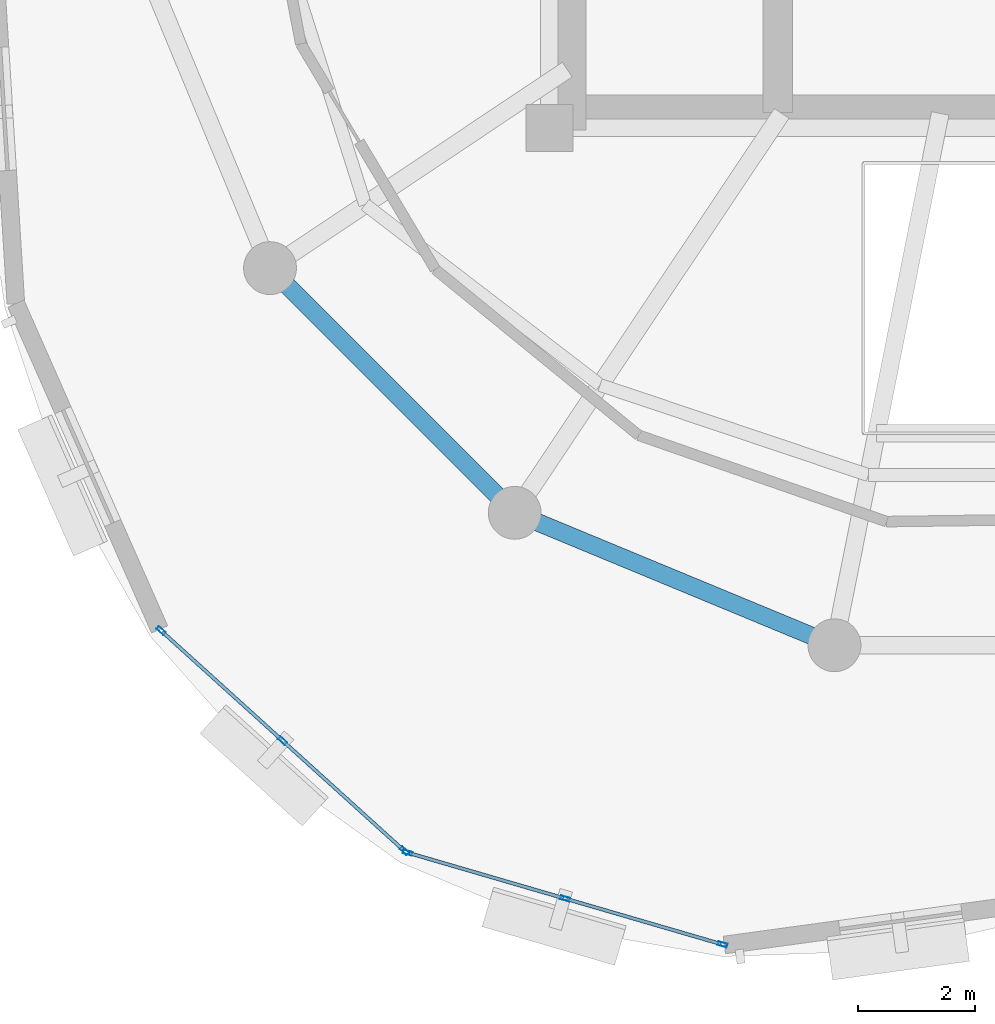
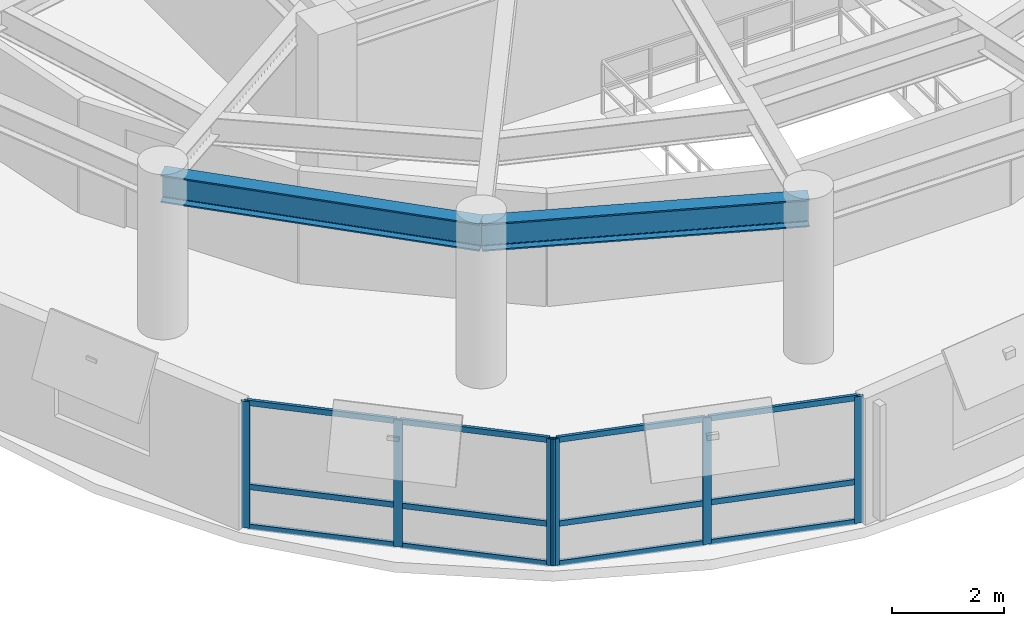
# One storey, part 2 of 11: 18 members, 2 beams, 2 elements without a shape of their own.
"""IFC4 building model written with IfcOpenShell, lengths in metres."""

from ifc_helpers import new_model, si_unit, direction, frame, origin, origin_2d, place, context, subcontext, project, spatial, hollow_rectangle, i_section, extrude, material, layer, layer_set, material_profile, profile_set, type_object, element, aggregate, save


model = new_model("IFC4")

# Units and contexts
model_context = context("Model", 3, precision=1e-05, world=origin(), true_north=direction((0.0, 1.0)))
body_context = subcontext(model_context, "Body", "Model", "MODEL_VIEW")
ifc_project = project(units=[si_unit("LENGTHUNIT", "METRE"), si_unit("AREAUNIT", "SQUARE_METRE"), si_unit("VOLUMEUNIT", "CUBIC_METRE"), si_unit("PLANEANGLEUNIT", "RADIAN"), si_unit("MASSUNIT", "GRAM", prefix="KILO"), si_unit("THERMODYNAMICTEMPERATUREUNIT", "KELVIN"), si_unit("POWERUNIT", "WATT")], contexts=[model_context])

# Site, building, storey
site_placement = place(None, origin())
site = spatial("IfcSite", under=ifc_project, at=site_placement, CompositionType="ELEMENT")
building_placement = place(site_placement, origin())
building = spatial("IfcBuilding", under=site, at=building_placement, Name="Ocrelia Relay Tower", CompositionType="ELEMENT")
storey_placement = place(building_placement, frame((0.0, 0.0, 280.800048828125)))
storey = spatial("IfcBuildingStorey", under=building, at=storey_placement, Name="L70", CompositionType="ELEMENT", Elevation=280.800048828125)

# Beams
ifc_material_1 = material(Name="Steel S355", Category="steel")
ifc_material_profile_1 = material_profile(ifc_material_1, i_section(OverallWidth=0.300048828125, OverallDepth=0.60009765625, WebThickness=0.015380859375, FlangeThickness=0.030029296875, FilletRadius=0.027099609375, at=origin_2d()), Name="HEB 600")
ifc_profile_set_1 = profile_set([ifc_material_profile_1], Name="Steel S355")
beam_type = type_object("IfcBeamType", Name="BM-HEB600", PredefinedType="BEAM", material=ifc_profile_set_1)
beam_1_placement = place(storey_placement, frame((21.44482421875, 17.61083984375, 3.079833984375), z_axis=(0.707106781187, -0.707106781187, 0.0), x_axis=(0.707106781187, 0.707106781187, 0.0)))
element("IfcBeam", 1, at=beam_1_placement, inside=storey, type_object=beam_type, Name="L70 Perimeter Spandrel Beam S10", PredefinedType="BEAM", context=body_context, shape_type="SweptSolid", body=[
    extrude(i_section(OverallWidth=0.300048828125, OverallDepth=0.60009765625, WebThickness=0.015380859375, FlangeThickness=0.030029296875, FilletRadius=0.027099609375, at=origin_2d()), origin(), (0.0, 0.0, 1.0), 5.8916015625),
])
beam_2_placement = place(storey_placement, frame((25.61083984375, 13.44482421875, 3.079833984375), z_axis=(0.923884009374, -0.382672624084, 0.0), x_axis=(0.382672624084, 0.923884009374, 0.0)))
element("IfcBeam", 2, at=beam_2_placement, inside=storey, type_object=beam_type, Name="L70 Perimeter Spandrel Beam S11", PredefinedType="BEAM", context=body_context, shape_type="SweptSolid", body=[
    extrude(i_section(OverallWidth=0.300048828125, OverallDepth=0.60009765625, WebThickness=0.015380859375, FlangeThickness=0.030029296875, FilletRadius=0.027099609375, at=origin_2d()), origin(), (0.0, 0.0, 1.0), 5.891845703125),
])

# Curtain wall, members
ifc_material_2 = material(Name="Aluminium and solar-control low-E glass", Category="aluminium")
ifc_layer = layer(ifc_material_2, 0.179931640625, Name="Aluminium and solar-control low-E glass")
ifc_layer_set = layer_set([ifc_layer], Name="Aluminium and solar-control low-E glass")
curtain_wall_type = type_object("IfcCurtainWallType", Name="CW-SYS-Z4-EXEC", PredefinedType="NOTDEFINED", material=ifc_layer_set)
curtain_wall_1_placement = place(storey_placement, origin())
curtain_wall_1 = element("IfcCurtainWall", 3, at=curtain_wall_1_placement, inside=storey, type_object=curtain_wall_type, Name="L70 Elliptical Tower Curtain Wall Bay 09", PredefinedType="NOTDEFINED")
ifc_material_3 = material(Name="Anodised bronze aluminium", Category="aluminium")
ifc_material_profile_2 = material_profile(ifc_material_3, hollow_rectangle(XDim=0.06494140625, YDim=0.159912109375, WallThickness=0.0048828125, at=origin_2d()), Name="CW-MUL-160x65")
ifc_profile_set_2 = profile_set([ifc_material_profile_2], Name="Anodised bronze aluminium")
member_type_1 = type_object("IfcMemberType", Name="CW-SYS-Z4-EXEC-MUL", PredefinedType="MULLION", material=ifc_profile_set_2)
member_1_placement = place(storey_placement, frame((19.590087890625, 11.438720703125, 0.0), z_axis=(0.0, 0.0, 1.0), x_axis=(0.671112105618, 0.741355880595, 0.0)))
member_1 = element("IfcMember", 4, at=member_1_placement, type_object=member_type_1, Name="CW-Z4 mullion 1", PredefinedType="MULLION", context=body_context, shape_type="SweptSolid", body=[
    extrude(hollow_rectangle(XDim=0.06494140625, YDim=0.159912109375, WallThickness=0.0048828125, at=origin_2d()), origin(), (0.0, 0.0, 1.0), 2.760009765625),
])
member_2_placement = place(storey_placement, frame((21.660400390625, 9.564697265625, 0.0), z_axis=(0.0, 0.0, 1.0), x_axis=(0.671112105618, 0.741355880595, 0.0)))
member_2 = element("IfcMember", 5, at=member_2_placement, type_object=member_type_1, Name="CW-Z4 mullion 2", PredefinedType="MULLION", context=body_context, shape_type="SweptSolid", body=[
    extrude(hollow_rectangle(XDim=0.06494140625, YDim=0.159912109375, WallThickness=0.0048828125, at=origin_2d()), origin(), (0.0, 0.0, 1.0), 2.760009765625),
])
member_3_placement = place(storey_placement, frame((23.730712890625, 7.6904296875, 0.0), z_axis=(0.0, 0.0, 1.0), x_axis=(0.671112105618, 0.741355880595, 0.0)))
member_3 = element("IfcMember", 6, at=member_3_placement, type_object=member_type_1, Name="CW-Z4 mullion 3", PredefinedType="MULLION", context=body_context, shape_type="SweptSolid", body=[
    extrude(hollow_rectangle(XDim=0.06494140625, YDim=0.159912109375, WallThickness=0.0048828125, at=origin_2d()), origin(), (0.0, 0.0, 1.0), 2.760009765625),
])

curtain_wall_2_placement = place(storey_placement, origin())
curtain_wall_2 = element("IfcCurtainWall", 7, at=curtain_wall_2_placement, inside=storey, type_object=curtain_wall_type, Name="L70 Elliptical Tower Curtain Wall Bay 10", PredefinedType="NOTDEFINED")
member_4_placement = place(storey_placement, frame((23.7861328125, 7.659423828125, 0.0), z_axis=(0.0, 0.0, 1.0), x_axis=(0.279787277627, 0.960062018454, 0.0)))
member_4 = element("IfcMember", 8, at=member_4_placement, type_object=member_type_1, Name="CW-Z4 mullion 1", PredefinedType="MULLION", context=body_context, shape_type="SweptSolid", body=[
    extrude(hollow_rectangle(XDim=0.06494140625, YDim=0.159912109375, WallThickness=0.0048828125, at=origin_2d()), origin(), (0.0, 0.0, 1.0), 2.760009765625),
])
member_5_placement = place(storey_placement, frame((26.46728515625, 6.878173828125, 0.0), z_axis=(0.0, 0.0, 1.0), x_axis=(0.279787277627, 0.960062018454, 0.0)))
member_5 = element("IfcMember", 9, at=member_5_placement, type_object=member_type_1, Name="CW-Z4 mullion 2", PredefinedType="MULLION", context=body_context, shape_type="SweptSolid", body=[
    extrude(hollow_rectangle(XDim=0.06494140625, YDim=0.159912109375, WallThickness=0.0048828125, at=origin_2d()), origin(), (0.0, 0.0, 1.0), 2.760009765625),
])
member_6_placement = place(storey_placement, frame((29.1484375, 6.0966796875, 0.0), z_axis=(0.0, 0.0, 1.0), x_axis=(0.279787277627, 0.960062018454, 0.0)))
member_6 = element("IfcMember", 10, at=member_6_placement, type_object=member_type_1, Name="CW-Z4 mullion 3", PredefinedType="MULLION", context=body_context, shape_type="SweptSolid", body=[
    extrude(hollow_rectangle(XDim=0.06494140625, YDim=0.159912109375, WallThickness=0.0048828125, at=origin_2d()), origin(), (0.0, 0.0, 1.0), 2.760009765625),
])

# Member
ifc_material_profile_3 = material_profile(ifc_material_3, hollow_rectangle(XDim=0.06005859375, YDim=0.1201171875, WallThickness=0.0048828125, at=origin_2d()), Name="CW-TRN-120x60")
ifc_profile_set_3 = profile_set([ifc_material_profile_3], Name="Anodised bronze aluminium")
member_type_2 = type_object("IfcMemberType", Name="CW-SYS-Z4-EXEC-TRN", PredefinedType="USERDEFINED", material=ifc_profile_set_3)
member_7_placement = place(storey_placement, frame((19.6142578125, 11.4169921875, 0.030029296875), z_axis=(0.741364000341, -0.671103135888, 0.0), x_axis=(0.671103135888, 0.741364000341, 0.0)))
member_7 = element("IfcMember", 11, at=member_7_placement, type_object=member_type_2, Name="CW-Z4 transom 1.1", ObjectType="TRANSOM", PredefinedType="USERDEFINED", context=body_context, shape_type="SweptSolid", body=[
    extrude(hollow_rectangle(XDim=0.06005859375, YDim=0.1201171875, WallThickness=0.0048828125, at=origin_2d()), origin(), (0.0, 0.0, 1.0), 2.727783203125),
])

member_8_placement = place(storey_placement, frame((19.6142578125, 11.4169921875, 0.89990234375), z_axis=(0.741364000341, -0.671103135888, 0.0), x_axis=(0.671103135888, 0.741364000341, 0.0)))
member_8 = element("IfcMember", 12, at=member_8_placement, type_object=member_type_2, Name="CW-Z4 transom 1.2", ObjectType="TRANSOM", PredefinedType="USERDEFINED", context=body_context, shape_type="SweptSolid", body=[
    extrude(hollow_rectangle(XDim=0.06005859375, YDim=0.1201171875, WallThickness=0.0048828125, at=origin_2d()), origin(), (0.0, 0.0, 1.0), 2.727783203125),
])

member_9_placement = place(storey_placement, frame((19.6142578125, 11.4169921875, 2.72998046875), z_axis=(0.741364000341, -0.671103135888, 0.0), x_axis=(0.671103135888, 0.741364000341, 0.0)))
member_9 = element("IfcMember", 13, at=member_9_placement, type_object=member_type_2, Name="CW-Z4 transom 1.3", ObjectType="TRANSOM", PredefinedType="USERDEFINED", context=body_context, shape_type="SweptSolid", body=[
    extrude(hollow_rectangle(XDim=0.06005859375, YDim=0.1201171875, WallThickness=0.0048828125, at=origin_2d()), origin(), (0.0, 0.0, 1.0), 2.727783203125),
])

member_10_placement = place(storey_placement, frame((21.6845703125, 9.542724609375, 0.030029296875), z_axis=(0.741364000341, -0.671103135888, 0.0), x_axis=(0.671103135888, 0.741364000341, 0.0)))
member_10 = element("IfcMember", 14, at=member_10_placement, type_object=member_type_2, Name="CW-Z4 transom 2.1", ObjectType="TRANSOM", PredefinedType="USERDEFINED", context=body_context, shape_type="SweptSolid", body=[
    extrude(hollow_rectangle(XDim=0.06005859375, YDim=0.1201171875, WallThickness=0.0048828125, at=origin_2d()), origin(), (0.0, 0.0, 1.0), 2.727783203125),
])

member_11_placement = place(storey_placement, frame((21.6845703125, 9.542724609375, 0.89990234375), z_axis=(0.741364000341, -0.671103135888, 0.0), x_axis=(0.671103135888, 0.741364000341, 0.0)))
member_11 = element("IfcMember", 15, at=member_11_placement, type_object=member_type_2, Name="CW-Z4 transom 2.2", ObjectType="TRANSOM", PredefinedType="USERDEFINED", context=body_context, shape_type="SweptSolid", body=[
    extrude(hollow_rectangle(XDim=0.06005859375, YDim=0.1201171875, WallThickness=0.0048828125, at=origin_2d()), origin(), (0.0, 0.0, 1.0), 2.727783203125),
])

member_12_placement = place(storey_placement, frame((21.6845703125, 9.542724609375, 2.72998046875), z_axis=(0.741364000341, -0.671103135888, 0.0), x_axis=(0.671103135888, 0.741364000341, 0.0)))
member_12 = element("IfcMember", 16, at=member_12_placement, type_object=member_type_2, Name="CW-Z4 transom 2.3", ObjectType="TRANSOM", PredefinedType="USERDEFINED", context=body_context, shape_type="SweptSolid", body=[
    extrude(hollow_rectangle(XDim=0.06005859375, YDim=0.1201171875, WallThickness=0.0048828125, at=origin_2d()), origin(), (0.0, 0.0, 1.0), 2.727783203125),
])

aggregate(curtain_wall_1, [member_1, member_2, member_3, member_7, member_8, member_9, member_10, member_11, member_12])

member_13_placement = place(storey_placement, frame((23.8173828125, 7.650390625, 0.030029296875), z_axis=(0.960058123415, -0.279800642718, 0.0), x_axis=(0.279800642718, 0.960058123415, 0.0)))
member_13 = element("IfcMember", 17, at=member_13_placement, type_object=member_type_2, Name="CW-Z4 transom 1.1", ObjectType="TRANSOM", PredefinedType="USERDEFINED", context=body_context, shape_type="SweptSolid", body=[
    extrude(hollow_rectangle(XDim=0.06005859375, YDim=0.1201171875, WallThickness=0.0048828125, at=origin_2d()), origin(), (0.0, 0.0, 1.0), 2.7275390625),
])

member_14_placement = place(storey_placement, frame((23.8173828125, 7.650390625, 0.89990234375), z_axis=(0.960058123415, -0.279800642718, 0.0), x_axis=(0.279800642718, 0.960058123415, 0.0)))
member_14 = element("IfcMember", 18, at=member_14_placement, type_object=member_type_2, Name="CW-Z4 transom 1.2", ObjectType="TRANSOM", PredefinedType="USERDEFINED", context=body_context, shape_type="SweptSolid", body=[
    extrude(hollow_rectangle(XDim=0.06005859375, YDim=0.1201171875, WallThickness=0.0048828125, at=origin_2d()), origin(), (0.0, 0.0, 1.0), 2.7275390625),
])

member_15_placement = place(storey_placement, frame((23.8173828125, 7.650390625, 2.72998046875), z_axis=(0.960058123415, -0.279800642718, 0.0), x_axis=(0.279800642718, 0.960058123415, 0.0)))
member_15 = element("IfcMember", 19, at=member_15_placement, type_object=member_type_2, Name="CW-Z4 transom 1.3", ObjectType="TRANSOM", PredefinedType="USERDEFINED", context=body_context, shape_type="SweptSolid", body=[
    extrude(hollow_rectangle(XDim=0.06005859375, YDim=0.1201171875, WallThickness=0.0048828125, at=origin_2d()), origin(), (0.0, 0.0, 1.0), 2.7275390625),
])

member_16_placement = place(storey_placement, frame((26.49853515625, 6.869140625, 0.030029296875), z_axis=(0.960058123415, -0.279800642718, 0.0), x_axis=(0.279800642718, 0.960058123415, 0.0)))
member_16 = element("IfcMember", 20, at=member_16_placement, type_object=member_type_2, Name="CW-Z4 transom 2.1", ObjectType="TRANSOM", PredefinedType="USERDEFINED", context=body_context, shape_type="SweptSolid", body=[
    extrude(hollow_rectangle(XDim=0.06005859375, YDim=0.1201171875, WallThickness=0.0048828125, at=origin_2d()), origin(), (0.0, 0.0, 1.0), 2.7275390625),
])

member_17_placement = place(storey_placement, frame((26.49853515625, 6.869140625, 0.89990234375), z_axis=(0.960058123415, -0.279800642718, 0.0), x_axis=(0.279800642718, 0.960058123415, 0.0)))
member_17 = element("IfcMember", 21, at=member_17_placement, type_object=member_type_2, Name="CW-Z4 transom 2.2", ObjectType="TRANSOM", PredefinedType="USERDEFINED", context=body_context, shape_type="SweptSolid", body=[
    extrude(hollow_rectangle(XDim=0.06005859375, YDim=0.1201171875, WallThickness=0.0048828125, at=origin_2d()), origin(), (0.0, 0.0, 1.0), 2.7275390625),
])

member_18_placement = place(storey_placement, frame((26.49853515625, 6.869140625, 2.72998046875), z_axis=(0.960058123415, -0.279800642718, 0.0), x_axis=(0.279800642718, 0.960058123415, 0.0)))
member_18 = element("IfcMember", 22, at=member_18_placement, type_object=member_type_2, Name="CW-Z4 transom 2.3", ObjectType="TRANSOM", PredefinedType="USERDEFINED", context=body_context, shape_type="SweptSolid", body=[
    extrude(hollow_rectangle(XDim=0.06005859375, YDim=0.1201171875, WallThickness=0.0048828125, at=origin_2d()), origin(), (0.0, 0.0, 1.0), 2.7275390625),
])

aggregate(curtain_wall_2, [member_4, member_5, member_6, member_13, member_14, member_15, member_16, member_17, member_18])

save(model, "model.ifc")
